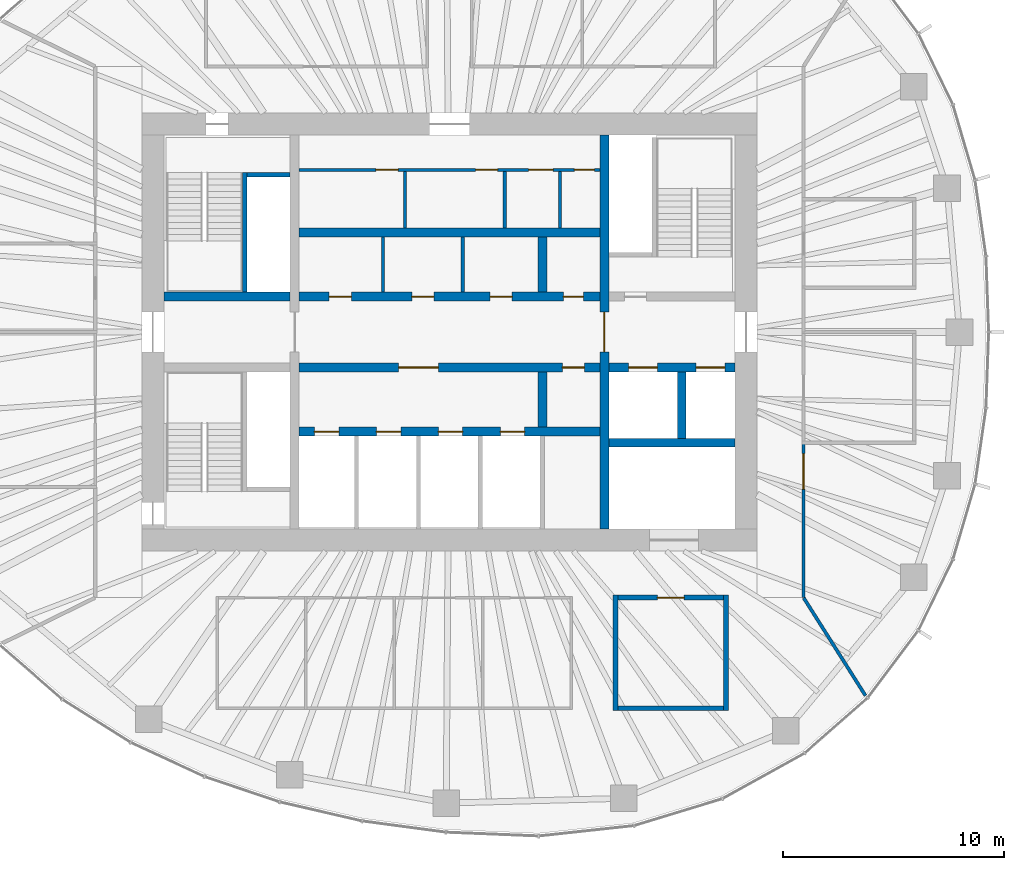
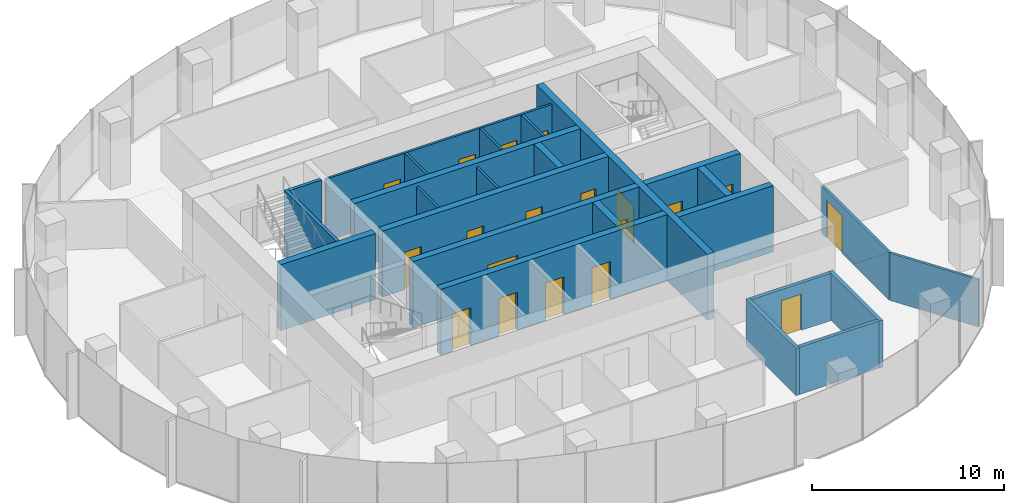
# One storey, part 9 of 11: 25 walls, 19 doors, 19 openings.
"""IFC4 building model written with IfcOpenShell, lengths in metres."""

from ifc_helpers import new_model, si_unit, direction, frame, frame_2d, origin, place, context, subcontext, project, spatial, rectangle, extrude, material, layer, layer_set, type_object, element, fill, save


model = new_model("IFC4")

# Units and contexts
model_context = context("Model", 3, precision=1e-05, world=origin(), true_north=direction((0.0, 1.0)))
body_context = subcontext(model_context, "Body", "Model", "MODEL_VIEW")
ifc_project = project(units=[si_unit("LENGTHUNIT", "METRE"), si_unit("AREAUNIT", "SQUARE_METRE"), si_unit("VOLUMEUNIT", "CUBIC_METRE"), si_unit("PLANEANGLEUNIT", "RADIAN"), si_unit("MASSUNIT", "GRAM", prefix="KILO")], contexts=[model_context])

# Site, building, storey
site_placement = place(None, origin())
site = spatial("IfcSite", under=ifc_project, at=site_placement, CompositionType="ELEMENT")
building_placement = place(site_placement, origin())
building = spatial("IfcBuilding", under=site, at=building_placement, Name="Ghaith Harvest Tower", CompositionType="ELEMENT")
storey_placement = place(building_placement, frame((0.0, 0.0, 275.39990234375)))
storey = spatial("IfcBuildingStorey", under=building, at=storey_placement, Name="L61", CompositionType="ELEMENT", Elevation=275.39990234375)

# Walls
ifc_material_1 = material(Name="Concrete blockwork, 1-hour", Category="masonry")
ifc_layer_1 = layer(ifc_material_1, 0.215087890625)
ifc_layer_set_1 = layer_set([ifc_layer_1], Name="BLOCKWORK WALL 215")
wall_type_1 = type_object("IfcWallType", Name="BLOCKWORK WALL 215", PredefinedType="PARTITIONING", material=ifc_layer_set_1)
for number, where, z_axis, x_axis, name in (
    (1, (7.5, -11.892578125, 0.0), (0.0, 0.0, 1.0), (0.0, -1.0, 0.0), "Partition L61 row S4 cross wall 1"),
    (2, (12.5, -11.892578125, 0.0), (0.0, 0.0, 1.0), (0.0, -1.0, 0.0), "Partition L61 row S4 cross wall 2"),
):
    element("IfcWall", number, at=place(storey_placement, frame(where, z_axis=z_axis, x_axis=x_axis)), inside=storey, type_object=wall_type_1, Name=name, PredefinedType="PARTITIONING", context=body_context, shape_type="SweptSolid", body=[
        extrude(rectangle(XDim=5.21484375, YDim=0.215087890625, at=frame_2d((2.607421875, 0.0))), origin(), (0.0, 0.0, 1.0), 3.0),
    ])

# Wall, opening, door
wall_1_placement = place(storey_placement, frame((7.607421875, -12.0, 0.0), z_axis=(0.0, 0.0, 1.0), x_axis=(1.0, 0.0, 0.0)))
wall_1 = element("IfcWall", 3, at=wall_1_placement, inside=storey, type_object=wall_type_1, Name="Partition L61-08", PredefinedType="PARTITIONING", context=body_context, shape_type="SweptSolid", body=[
    extrude(rectangle(XDim=4.78515625, YDim=0.215087890625, at=frame_2d((2.392578125, 0.0))), origin(), (0.0, 0.0, 1.0), 3.0),
])
opening_1_placement = place(wall_1_placement, frame((1.79248046875, 0.0, 0.0)))
opening_1 = element("IfcOpeningElement", 4, at=opening_1_placement, cuts=wall_1, Name="Opening 61-033", PredefinedType="OPENING", context=body_context, shape_type="SweptSolid", body=[
    extrude(rectangle(XDim=1.199951171875, YDim=2.300048828125, at=frame_2d((0.60009765625, 1.14990234375))), frame((0.0, 0.11767578125, 0.0), z_axis=(0.0, -1.0, 0.0), x_axis=(1.0, 0.0, 0.0)), (0.0, 0.0, 1.0), 0.235107421875),
])
ifc_material_2 = material(Name="Timber door with vision panel", Category="wood")
door_type_1 = type_object("IfcDoorType", Name="D15 LABORATORY 1200x2300", OperationType="SINGLE_SWING_LEFT", PredefinedType="DOOR", material=ifc_material_2)
door_1_placement = place(opening_1_placement, origin())
door_1 = element("IfcDoor", 5, at=door_1_placement, inside=storey, type_object=door_type_1, Name="Autoclave room door", OperationType="SINGLE_SWING_LEFT", OverallHeight=2.300048828125, OverallWidth=1.199951171875, PredefinedType="DOOR", context=body_context, shape_type="SweptSolid", body=[
    extrude(rectangle(XDim=1.199951171875, YDim=2.300048828125, at=frame_2d((0.60009765625, 1.14990234375))), frame((0.0, 0.02490234375, 0.0), z_axis=(0.0, -1.0, 0.0), x_axis=(1.0, 0.0, 0.0)), (0.0, 0.0, 1.0), 0.050048828125),
])
fill(opening_1, door_1)

# Wall
wall_2_placement = place(storey_placement, frame((7.607421875, -17.0, 0.0), z_axis=(0.0, 0.0, 1.0), x_axis=(1.0, 0.0, 0.0)))
element("IfcWall", 6, at=wall_2_placement, inside=storey, type_object=wall_type_1, Name="Partition L61-08", PredefinedType="PARTITIONING", context=body_context, shape_type="SweptSolid", body=[
    extrude(rectangle(XDim=4.78515625, YDim=0.215087890625, at=frame_2d((2.392578125, 0.0))), origin(), (0.0, 0.0, 1.0), 3.0),
])

# Wall, openings, doors
ifc_material_3 = material(Name="Concrete blockwork, fair-faced", Category="masonry")
ifc_layer_2 = layer(ifc_material_3, 0.139892578125)
ifc_layer_set_2 = layer_set([ifc_layer_2], Name="CORE PARTITION 140")
wall_type_2 = type_object("IfcWallType", Name="CORE PARTITION 140", PredefinedType="PARTITIONING", material=ifc_layer_set_2)
wall_3_placement = place(storey_placement, frame((-6.800048828125, 7.330078125, 0.0), z_axis=(0.0, 0.0, 1.0), x_axis=(1.0, 0.0, 0.0)))
wall_3 = element("IfcWall", 7, at=wall_3_placement, inside=storey, type_object=wall_type_2, Name="Core partition L61", PredefinedType="PARTITIONING", context=body_context, shape_type="SweptSolid", body=[
    extrude(rectangle(XDim=13.60009765625, YDim=0.139892578125, at=frame_2d((6.800048828125, 0.0))), origin(), (0.0, 0.0, 1.0), 3.9501953125),
])
opening_2_placement = place(wall_3_placement, frame((3.47998046875, 0.0, 0.0)))
opening_2 = element("IfcOpeningElement", 8, at=opening_2_placement, cuts=wall_3, Name="Opening 61-008", PredefinedType="OPENING", context=body_context, shape_type="SweptSolid", body=[
    extrude(rectangle(XDim=1.0, YDim=2.39990234375, at=frame_2d((0.5, 1.199951171875))), frame((0.0, 0.080078125, 0.0), z_axis=(0.0, -1.0, 0.0), x_axis=(1.0, 0.0, 0.0)), (0.0, 0.0, 1.0), 0.159912109375),
])
opening_3_placement = place(wall_3_placement, frame((7.97998046875, 0.0, 0.0)))
opening_3 = element("IfcOpeningElement", 9, at=opening_3_placement, cuts=wall_3, Name="Opening 61-009", PredefinedType="OPENING", context=body_context, shape_type="SweptSolid", body=[
    extrude(rectangle(XDim=1.0, YDim=2.39990234375, at=frame_2d((0.5, 1.199951171875))), frame((0.0, 0.080078125, 0.0), z_axis=(0.0, -1.0, 0.0), x_axis=(1.0, 0.0, 0.0)), (0.0, 0.0, 1.0), 0.159912109375),
])
opening_4_placement = place(wall_3_placement, frame((10.3798828125, 0.0, 0.0)))
opening_4 = element("IfcOpeningElement", 10, at=opening_4_placement, cuts=wall_3, Name="Opening 61-010", PredefinedType="OPENING", context=body_context, shape_type="SweptSolid", body=[
    extrude(rectangle(XDim=1.10009765625, YDim=2.39990234375, at=frame_2d((0.550048828125, 1.199951171875))), frame((0.0, 0.080078125, 0.0), z_axis=(0.0, -1.0, 0.0), x_axis=(1.0, 0.0, 0.0)), (0.0, 0.0, 1.0), 0.159912109375),
])
opening_5_placement = place(wall_3_placement, frame((12.449951171875, 0.0, 0.0)))
opening_5 = element("IfcOpeningElement", 11, at=opening_5_placement, cuts=wall_3, Name="Opening 61-011", PredefinedType="OPENING", context=body_context, shape_type="SweptSolid", body=[
    extrude(rectangle(XDim=0.89990234375, YDim=2.39990234375, at=frame_2d((0.449951171875, 1.199951171875))), frame((0.0, 0.080078125, 0.0), z_axis=(0.0, -1.0, 0.0), x_axis=(1.0, 0.0, 0.0)), (0.0, 0.0, 1.0), 0.159912109375),
])
ifc_material_4 = material(Name="Steel fire door", Category="steel")
door_type_2 = type_object("IfcDoorType", Name="D3 FD90 1000x2400", OperationType="SINGLE_SWING_LEFT", PredefinedType="DOOR", material=ifc_material_4)
door_2_placement = place(opening_2_placement, origin())
door_2 = element("IfcDoor", 12, at=door_2_placement, inside=storey, type_object=door_type_2, Name="Male WC door", OperationType="SINGLE_SWING_LEFT", OverallHeight=2.39990234375, OverallWidth=1.0, PredefinedType="DOOR", context=body_context, shape_type="SweptSolid", body=[
    extrude(rectangle(XDim=1.0, YDim=2.39990234375, at=frame_2d((0.5, 1.199951171875))), frame((0.0, 0.02490234375, 0.0), z_axis=(0.0, -1.0, 0.0), x_axis=(1.0, 0.0, 0.0)), (0.0, 0.0, 1.0), 0.050048828125),
])
fill(opening_2, door_2)
door_3_placement = place(opening_3_placement, origin())
door_3 = element("IfcDoor", 13, at=door_3_placement, inside=storey, type_object=door_type_2, Name="Female WC door", OperationType="SINGLE_SWING_RIGHT", OverallHeight=2.39990234375, OverallWidth=1.0, PredefinedType="DOOR", context=body_context, shape_type="SweptSolid", body=[
    extrude(rectangle(XDim=1.0, YDim=2.39990234375, at=frame_2d((0.5, 1.199951171875))), frame((0.0, 0.02490234375, 0.0), z_axis=(0.0, -1.0, 0.0), x_axis=(1.0, 0.0, 0.0)), (0.0, 0.0, 1.0), 0.050048828125),
])
fill(opening_3, door_3)
ifc_material_5 = material(Name="Steel fire door", Category="steel")
door_type_3 = type_object("IfcDoorType", Name="D5 FD90 900x2400", OperationType="SINGLE_SWING_LEFT", PredefinedType="DOOR", material=ifc_material_5)
door_4_placement = place(opening_5_placement, origin())
door_4 = element("IfcDoor", 14, at=door_4_placement, inside=storey, type_object=door_type_3, Name="Cleaner's store door", OperationType="SINGLE_SWING_RIGHT", OverallHeight=2.39990234375, OverallWidth=0.89990234375, PredefinedType="DOOR", context=body_context, shape_type="SweptSolid", body=[
    extrude(rectangle(XDim=0.89990234375, YDim=2.39990234375, at=frame_2d((0.449951171875, 1.199951171875))), frame((0.0, 0.02490234375, 0.0), z_axis=(0.0, -1.0, 0.0), x_axis=(1.0, 0.0, 0.0)), (0.0, 0.0, 1.0), 0.050048828125),
])
fill(opening_5, door_4)
ifc_material_6 = material(Name="Steel fire door", Category="steel")
door_type_4 = type_object("IfcDoorType", Name="D9 FD90 1100x2400", OperationType="SINGLE_SWING_LEFT", PredefinedType="DOOR", material=ifc_material_6)
door_5_placement = place(opening_4_placement, origin())
door_5 = element("IfcDoor", 15, at=door_5_placement, inside=storey, type_object=door_type_4, Name="Accessible WC door", OperationType="SINGLE_SWING_RIGHT", OverallHeight=2.39990234375, OverallWidth=1.10009765625, PredefinedType="DOOR", context=body_context, shape_type="SweptSolid", body=[
    extrude(rectangle(XDim=1.10009765625, YDim=2.39990234375, at=frame_2d((0.550048828125, 1.199951171875))), frame((0.0, 0.02490234375, 0.0), z_axis=(0.0, -1.0, 0.0), x_axis=(1.0, 0.0, 0.0)), (0.0, 0.0, 1.0), 0.050048828125),
])
fill(opening_4, door_5)

# Walls
for number, where, z_axis, x_axis, name in (
    (16, (-2.0, 4.699951171875, 0.0), (0.0, 0.0, 1.0), (0.0, 1.0, 0.0), "Core partition L61"),
    (17, (2.5, 4.699951171875, 0.0), (0.0, 0.0, 1.0), (0.0, 1.0, 0.0), "Core partition L61"),
    (18, (5.0, 4.699951171875, 0.0), (0.0, 0.0, 1.0), (0.0, 1.0, 0.0), "Core partition L61"),
):
    element("IfcWall", number, at=place(storey_placement, frame(where, z_axis=z_axis, x_axis=x_axis)), inside=storey, type_object=wall_type_2, Name=name, PredefinedType="PARTITIONING", context=body_context, shape_type="SweptSolid", body=[
        extrude(rectangle(XDim=2.56005859375, YDim=0.139892578125, at=frame_2d((1.280029296875, 0.0))), origin(), (0.0, 0.0, 1.0), 3.9501953125),
    ])
for number, where, z_axis, x_axis, name in (
    (19, (-3.0, 1.800048828125, 0.0), (0.0, 0.0, 1.0), (0.0, 1.0, 0.0), "Core partition L61"),
    (20, (0.60009765625, 1.800048828125, 0.0), (0.0, 0.0, 1.0), (0.0, 1.0, 0.0), "Core partition L61"),
):
    element("IfcWall", number, at=place(storey_placement, frame(where, z_axis=z_axis, x_axis=x_axis)), inside=storey, type_object=wall_type_2, Name=name, PredefinedType="PARTITIONING", context=body_context, shape_type="SweptSolid", body=[
        extrude(rectangle(XDim=2.5, YDim=0.139892578125, at=frame_2d((1.25, 0.0))), origin(), (0.0, 0.0, 1.0), 3.9501953125),
    ])
ifc_material_7 = material(Name="Gypsum board on steel studs", Category="steel")
ifc_layer_3 = layer(ifc_material_7, 0.14990234375)
ifc_layer_set_3 = layer_set([ifc_layer_3], Name="PARTITION 150")
wall_type_3 = type_object("IfcWallType", Name="PARTITION 150", PredefinedType="PARTITIONING", material=ifc_layer_set_3)
wall_4_placement = place(storey_placement, frame((16.0107421875, -12.016845703125, 0.0), z_axis=(0.0, 0.0, 1.0), x_axis=(0.53415837449, -0.845384427916, 0.0)))
element("IfcWall", 21, at=wall_4_placement, inside=storey, type_object=wall_type_3, Name="Partition L61 zone division", PredefinedType="PARTITIONING", context=body_context, shape_type="SweptSolid", body=[
    extrude(rectangle(XDim=5.220458984375, YDim=0.14990234375, at=frame_2d((2.6103515625, 0.0))), origin(), (0.0, 0.0, 1.0), 3.0),
])

# Wall, opening, door
wall_5_placement = place(storey_placement, frame((16.0, -12.0, 0.0), z_axis=(0.0, 0.0, 1.0), x_axis=(0.0, 1.0, 0.0)))
wall_5 = element("IfcWall", 22, at=wall_5_placement, inside=storey, type_object=wall_type_3, Name="Partition L61 zone enclosure", PredefinedType="PARTITIONING", context=body_context, shape_type="SweptSolid", body=[
    extrude(rectangle(XDim=7.0, YDim=0.14990234375, at=frame_2d((3.5, 0.0))), origin(), (0.0, 0.0, 1.0), 3.0),
])
opening_6_placement = place(wall_5_placement, frame((4.89990234375, 0.0, 0.0)))
opening_6 = element("IfcOpeningElement", 23, at=opening_6_placement, cuts=wall_5, Name="Opening 61-038", PredefinedType="OPENING", context=body_context, shape_type="SweptSolid", body=[
    extrude(rectangle(XDim=1.60009765625, YDim=2.39990234375, at=frame_2d((0.800048828125, 1.199951171875))), frame((0.0, 0.0849609375, 0.0), z_axis=(0.0, -1.0, 0.0), x_axis=(1.0, 0.0, 0.0)), (0.0, 0.0, 1.0), 0.169921875),
])
ifc_material_8 = material(Name="Timber door", Category="wood")
door_type_5 = type_object("IfcDoorType", Name="D2 PAIR 1600x2400", OperationType="DOUBLE_DOOR_SINGLE_SWING", PredefinedType="DOOR", material=ifc_material_8)
door_6_placement = place(opening_6_placement, origin())
door_6 = element("IfcDoor", 24, at=door_6_placement, inside=storey, type_object=door_type_5, Name="Tissue culture growing area east door", OperationType="DOUBLE_DOOR_SINGLE_SWING", OverallHeight=2.39990234375, OverallWidth=1.60009765625, PredefinedType="DOOR", context=body_context, shape_type="SweptSolid", body=[
    extrude(rectangle(XDim=1.60009765625, YDim=2.39990234375, at=frame_2d((0.800048828125, 1.199951171875))), frame((0.0, 0.02490234375, 0.0), z_axis=(0.0, -1.0, 0.0), x_axis=(1.0, 0.0, 0.0)), (0.0, 0.0, 1.0), 0.050048828125),
])
fill(opening_6, door_6)

ifc_material_9 = material(Name="Concrete C70/85", Category="concrete")
ifc_layer_4 = layer(ifc_material_9, 0.39990234375)
ifc_layer_set_4 = layer_set([ifc_layer_4], Name="SHAFT WALL 400")
wall_type_4 = type_object("IfcWallType", Name="SHAFT WALL 400", PredefinedType="SHEAR", material=ifc_layer_set_4)
wall_6_placement = place(storey_placement, frame((7.0, -8.89990234375, 0.0), z_axis=(0.0, 0.0, 1.0), x_axis=(0.0, 1.0, 0.0)))
wall_6 = element("IfcWall", 25, at=wall_6_placement, inside=storey, type_object=wall_type_4, Name="Shaft wall W7E L61", PredefinedType="SHEAR", context=body_context, shape_type="SweptSolid", body=[
    extrude(rectangle(XDim=17.7998046875, YDim=0.39990234375, at=frame_2d((8.89990234375, 0.0))), origin(), (0.0, 0.0, 1.0), 4.2001953125),
])
opening_7_placement = place(wall_6_placement, frame((8.0, 0.0, 0.0)))
opening_7 = element("IfcOpeningElement", 26, at=opening_7_placement, cuts=wall_6, Name="Opening 61-004", PredefinedType="OPENING", context=body_context, shape_type="SweptSolid", body=[
    extrude(rectangle(XDim=1.800048828125, YDim=2.39990234375, at=frame_2d((0.89990234375, 1.199951171875))), frame((0.0, 0.2099609375, 0.0), z_axis=(0.0, -1.0, 0.0), x_axis=(1.0, 0.0, 0.0)), (0.0, 0.0, 1.0), 0.419921875),
])
ifc_material_10 = material(Name="Steel fire door", Category="steel")
door_type_6 = type_object("IfcDoorType", Name="D4 FD90 PAIR 1800x2400", OperationType="DOUBLE_DOOR_SINGLE_SWING", PredefinedType="DOOR", material=ifc_material_10)
door_7_placement = place(opening_7_placement, origin())
door_7 = element("IfcDoor", 27, at=door_7_placement, inside=storey, type_object=door_type_6, Name="Lift lobby doors, east", OperationType="DOUBLE_DOOR_SINGLE_SWING", OverallHeight=2.39990234375, OverallWidth=1.800048828125, PredefinedType="DOOR", context=body_context, shape_type="SweptSolid", body=[
    extrude(rectangle(XDim=1.800048828125, YDim=2.39990234375, at=frame_2d((0.89990234375, 1.199951171875))), frame((0.0, 0.02490234375, 0.0), z_axis=(0.0, -1.0, 0.0), x_axis=(1.0, 0.0, 0.0)), (0.0, 0.0, 1.0), 0.050048828125),
])
fill(opening_7, door_7)

# Wall, openings, doors
wall_7_placement = place(storey_placement, frame((-6.800048828125, 1.60009765625, 0.0), z_axis=(0.0, 0.0, 1.0), x_axis=(1.0, 0.0, 0.0)))
wall_7 = element("IfcWall", 28, at=wall_7_placement, inside=storey, type_object=wall_type_4, Name="Shaft wall LN L61", PredefinedType="SHEAR", context=body_context, shape_type="SweptSolid", body=[
    extrude(rectangle(XDim=13.60009765625, YDim=0.39990234375, at=frame_2d((6.800048828125, 0.0))), origin(), (0.0, 0.0, 1.0), 4.2001953125),
])
opening_8_placement = place(wall_7_placement, frame((1.364990234375, 0.0, 0.0)))
opening_8 = element("IfcOpeningElement", 29, at=opening_8_placement, cuts=wall_7, Name="Opening 61-012", PredefinedType="OPENING", context=body_context, shape_type="SweptSolid", body=[
    extrude(rectangle(XDim=1.0, YDim=2.39990234375, at=frame_2d((0.5, 1.199951171875))), frame((0.0, 0.2099609375, 0.0), z_axis=(0.0, -1.0, 0.0), x_axis=(1.0, 0.0, 0.0)), (0.0, 0.0, 1.0), 0.419921875),
])
opening_9_placement = place(wall_7_placement, frame((5.10009765625, 0.0, 0.0)))
opening_9 = element("IfcOpeningElement", 30, at=opening_9_placement, cuts=wall_7, Name="Opening 61-013", PredefinedType="OPENING", context=body_context, shape_type="SweptSolid", body=[
    extrude(rectangle(XDim=1.0, YDim=2.39990234375, at=frame_2d((0.5, 1.199951171875))), frame((0.0, 0.2099609375, 0.0), z_axis=(0.0, -1.0, 0.0), x_axis=(1.0, 0.0, 0.0)), (0.0, 0.0, 1.0), 0.419921875),
])
opening_10_placement = place(wall_7_placement, frame((8.635009765625, 0.0, 0.0)))
opening_10 = element("IfcOpeningElement", 31, at=opening_10_placement, cuts=wall_7, Name="Opening 61-014", PredefinedType="OPENING", context=body_context, shape_type="SweptSolid", body=[
    extrude(rectangle(XDim=1.0, YDim=2.39990234375, at=frame_2d((0.5, 1.199951171875))), frame((0.0, 0.2099609375, 0.0), z_axis=(0.0, -1.0, 0.0), x_axis=(1.0, 0.0, 0.0)), (0.0, 0.0, 1.0), 0.419921875),
])
opening_11_placement = place(wall_7_placement, frame((11.949951171875, 0.0, 0.0)))
opening_11 = element("IfcOpeningElement", 32, at=opening_11_placement, cuts=wall_7, Name="Opening 61-015", PredefinedType="OPENING", context=body_context, shape_type="SweptSolid", body=[
    extrude(rectangle(XDim=0.89990234375, YDim=2.39990234375, at=frame_2d((0.449951171875, 1.199951171875))), frame((0.0, 0.2099609375, 0.0), z_axis=(0.0, -1.0, 0.0), x_axis=(1.0, 0.0, 0.0)), (0.0, 0.0, 1.0), 0.419921875),
])
door_8_placement = place(opening_8_placement, origin())
door_8 = element("IfcDoor", 33, at=door_8_placement, inside=storey, type_object=door_type_2, Name="Electrical room door", OperationType="SINGLE_SWING_LEFT", OverallHeight=2.39990234375, OverallWidth=1.0, PredefinedType="DOOR", context=body_context, shape_type="SweptSolid", body=[
    extrude(rectangle(XDim=1.0, YDim=2.39990234375, at=frame_2d((0.5, 1.199951171875))), frame((0.0, 0.02490234375, 0.0), z_axis=(0.0, -1.0, 0.0), x_axis=(1.0, 0.0, 0.0)), (0.0, 0.0, 1.0), 0.050048828125),
])
fill(opening_8, door_8)
door_9_placement = place(opening_9_placement, origin())
door_9 = element("IfcDoor", 34, at=door_9_placement, inside=storey, type_object=door_type_2, Name="Communications equipment room door", OperationType="SINGLE_SWING_LEFT", OverallHeight=2.39990234375, OverallWidth=1.0, PredefinedType="DOOR", context=body_context, shape_type="SweptSolid", body=[
    extrude(rectangle(XDim=1.0, YDim=2.39990234375, at=frame_2d((0.5, 1.199951171875))), frame((0.0, 0.02490234375, 0.0), z_axis=(0.0, -1.0, 0.0), x_axis=(1.0, 0.0, 0.0)), (0.0, 0.0, 1.0), 0.050048828125),
])
fill(opening_9, door_9)
door_10_placement = place(opening_10_placement, origin())
door_10 = element("IfcDoor", 35, at=door_10_placement, inside=storey, type_object=door_type_2, Name="Tea point door", OperationType="SINGLE_SWING_RIGHT", OverallHeight=2.39990234375, OverallWidth=1.0, PredefinedType="DOOR", context=body_context, shape_type="SweptSolid", body=[
    extrude(rectangle(XDim=1.0, YDim=2.39990234375, at=frame_2d((0.5, 1.199951171875))), frame((0.0, 0.02490234375, 0.0), z_axis=(0.0, -1.0, 0.0), x_axis=(1.0, 0.0, 0.0)), (0.0, 0.0, 1.0), 0.050048828125),
])
fill(opening_10, door_10)
door_11_placement = place(opening_11_placement, origin())
door_11 = element("IfcDoor", 36, at=door_11_placement, inside=storey, type_object=door_type_3, Name="Lobby store door", OperationType="SINGLE_SWING_RIGHT", OverallHeight=2.39990234375, OverallWidth=0.89990234375, PredefinedType="DOOR", context=body_context, shape_type="SweptSolid", body=[
    extrude(rectangle(XDim=0.89990234375, YDim=2.39990234375, at=frame_2d((0.449951171875, 1.199951171875))), frame((0.0, 0.02490234375, 0.0), z_axis=(0.0, -1.0, 0.0), x_axis=(1.0, 0.0, 0.0)), (0.0, 0.0, 1.0), 0.050048828125),
])
fill(opening_11, door_11)

wall_8_placement = place(storey_placement, frame((-6.800048828125, -1.60009765625, 0.0), z_axis=(0.0, 0.0, 1.0), x_axis=(1.0, 0.0, 0.0)))
wall_8 = element("IfcWall", 37, at=wall_8_placement, inside=storey, type_object=wall_type_4, Name="Shaft wall LS L61", PredefinedType="SHEAR", context=body_context, shape_type="SweptSolid", body=[
    extrude(rectangle(XDim=13.60009765625, YDim=0.39990234375, at=frame_2d((6.800048828125, 0.0))), origin(), (0.0, 0.0, 1.0), 4.2001953125),
])
opening_12_placement = place(wall_8_placement, frame((11.89990234375, 0.0, 0.0)))
opening_12 = element("IfcOpeningElement", 38, at=opening_12_placement, cuts=wall_8, Name="Opening 61-016", PredefinedType="OPENING", context=body_context, shape_type="SweptSolid", body=[
    extrude(rectangle(XDim=1.0, YDim=2.39990234375, at=frame_2d((0.5, 1.199951171875))), frame((0.0, 0.2099609375, 0.0), z_axis=(0.0, -1.0, 0.0), x_axis=(1.0, 0.0, 0.0)), (0.0, 0.0, 1.0), 0.419921875),
])
opening_13_placement = place(wall_8_placement, frame((4.5, 0.0, 0.0)))
opening_13 = element("IfcOpeningElement", 39, at=opening_13_placement, cuts=wall_8, Name="Opening 61-017", PredefinedType="OPENING", context=body_context, shape_type="SweptSolid", body=[
    extrude(rectangle(XDim=1.800048828125, YDim=2.39990234375, at=frame_2d((0.89990234375, 1.199951171875))), frame((0.0, 0.2099609375, 0.0), z_axis=(0.0, -1.0, 0.0), x_axis=(1.0, 0.0, 0.0)), (0.0, 0.0, 1.0), 0.419921875),
])
door_12_placement = place(opening_12_placement, origin())
door_12 = element("IfcDoor", 40, at=door_12_placement, inside=storey, type_object=door_type_2, Name="IT equipment room door", OperationType="SINGLE_SWING_RIGHT", OverallHeight=2.39990234375, OverallWidth=1.0, PredefinedType="DOOR", context=body_context, shape_type="SweptSolid", body=[
    extrude(rectangle(XDim=1.0, YDim=2.39990234375, at=frame_2d((0.5, 1.199951171875))), frame((0.0, 0.02490234375, 0.0), z_axis=(0.0, -1.0, 0.0), x_axis=(1.0, 0.0, 0.0)), (0.0, 0.0, 1.0), 0.050048828125),
])
fill(opening_12, door_12)
door_13_placement = place(opening_13_placement, origin())
door_13 = element("IfcDoor", 41, at=door_13_placement, inside=storey, type_object=door_type_6, Name="Lift lobby doors, upper-zone bank", OperationType="DOUBLE_DOOR_SINGLE_SWING", OverallHeight=2.39990234375, OverallWidth=1.800048828125, PredefinedType="DOOR", context=body_context, shape_type="SweptSolid", body=[
    extrude(rectangle(XDim=1.800048828125, YDim=2.39990234375, at=frame_2d((0.89990234375, 1.199951171875))), frame((0.0, 0.02490234375, 0.0), z_axis=(0.0, -1.0, 0.0), x_axis=(1.0, 0.0, 0.0)), (0.0, 0.0, 1.0), 0.050048828125),
])
fill(opening_13, door_13)

# Wall
wall_9_placement = place(storey_placement, frame((-6.800048828125, 4.5, 0.0), z_axis=(0.0, 0.0, 1.0), x_axis=(1.0, 0.0, 0.0)))
element("IfcWall", 42, at=wall_9_placement, inside=storey, type_object=wall_type_4, Name="Shaft wall BN L61", PredefinedType="SHEAR", context=body_context, shape_type="SweptSolid", body=[
    extrude(rectangle(XDim=13.60009765625, YDim=0.39990234375, at=frame_2d((6.800048828125, 0.0))), origin(), (0.0, 0.0, 1.0), 4.2001953125),
])

# Wall, openings, doors
wall_10_placement = place(storey_placement, frame((-6.800048828125, -4.5, 0.0), z_axis=(0.0, 0.0, 1.0), x_axis=(1.0, 0.0, 0.0)))
wall_10 = element("IfcWall", 43, at=wall_10_placement, inside=storey, type_object=wall_type_4, Name="Shaft wall BS L61", PredefinedType="SHEAR", context=body_context, shape_type="SweptSolid", body=[
    extrude(rectangle(XDim=13.60009765625, YDim=0.39990234375, at=frame_2d((6.800048828125, 0.0))), origin(), (0.0, 0.0, 1.0), 4.2001953125),
])
opening_14_placement = place(wall_10_placement, frame((0.699951171875, 0.0, 0.0)))
opening_14 = element("IfcOpeningElement", 44, at=opening_14_placement, cuts=wall_10, Name="Opening 61-019", PredefinedType="OPENING", context=body_context, shape_type="SweptSolid", body=[
    extrude(rectangle(XDim=1.10009765625, YDim=2.39990234375, at=frame_2d((0.550048828125, 1.199951171875))), frame((0.0, 0.2099609375, 0.0), z_axis=(0.0, -1.0, 0.0), x_axis=(1.0, 0.0, 0.0)), (0.0, 0.0, 1.0), 0.419921875),
])
opening_15_placement = place(wall_10_placement, frame((3.5, 0.0, 0.0)))
opening_15 = element("IfcOpeningElement", 45, at=opening_15_placement, cuts=wall_10, Name="Opening 61-020", PredefinedType="OPENING", context=body_context, shape_type="SweptSolid", body=[
    extrude(rectangle(XDim=1.10009765625, YDim=2.39990234375, at=frame_2d((0.550048828125, 1.199951171875))), frame((0.0, 0.2099609375, 0.0), z_axis=(0.0, -1.0, 0.0), x_axis=(1.0, 0.0, 0.0)), (0.0, 0.0, 1.0), 0.419921875),
])
opening_16_placement = place(wall_10_placement, frame((6.300048828125, 0.0, 0.0)))
opening_16 = element("IfcOpeningElement", 46, at=opening_16_placement, cuts=wall_10, Name="Opening 61-021", PredefinedType="OPENING", context=body_context, shape_type="SweptSolid", body=[
    extrude(rectangle(XDim=1.10009765625, YDim=2.39990234375, at=frame_2d((0.550048828125, 1.199951171875))), frame((0.0, 0.2099609375, 0.0), z_axis=(0.0, -1.0, 0.0), x_axis=(1.0, 0.0, 0.0)), (0.0, 0.0, 1.0), 0.419921875),
])
opening_17_placement = place(wall_10_placement, frame((9.10009765625, 0.0, 0.0)))
opening_17 = element("IfcOpeningElement", 47, at=opening_17_placement, cuts=wall_10, Name="Opening 61-022", PredefinedType="OPENING", context=body_context, shape_type="SweptSolid", body=[
    extrude(rectangle(XDim=1.10009765625, YDim=2.39990234375, at=frame_2d((0.550048828125, 1.199951171875))), frame((0.0, 0.2099609375, 0.0), z_axis=(0.0, -1.0, 0.0), x_axis=(1.0, 0.0, 0.0)), (0.0, 0.0, 1.0), 0.419921875),
])
ifc_material_11 = material(Name="Steel fire door", Category="steel")
door_type_7 = type_object("IfcDoorType", Name="LD1 LANDING 1100x2400", OperationType="DOUBLE_DOOR_SLIDING", PredefinedType="DOOR", material=ifc_material_11)
door_14_placement = place(opening_14_placement, origin())
door_14 = element("IfcDoor", 48, at=door_14_placement, inside=storey, type_object=door_type_7, Name="Landing door, lift TR1", OperationType="DOUBLE_DOOR_SLIDING", OverallHeight=2.39990234375, OverallWidth=1.10009765625, PredefinedType="DOOR", context=body_context, shape_type="SweptSolid", body=[
    extrude(rectangle(XDim=1.10009765625, YDim=2.39990234375, at=frame_2d((0.550048828125, 1.199951171875))), frame((0.0, 0.02490234375, 0.0), z_axis=(0.0, -1.0, 0.0), x_axis=(1.0, 0.0, 0.0)), (0.0, 0.0, 1.0), 0.050048828125),
])
fill(opening_14, door_14)
door_15_placement = place(opening_15_placement, origin())
door_15 = element("IfcDoor", 49, at=door_15_placement, inside=storey, type_object=door_type_7, Name="Landing door, lift TR2", OperationType="DOUBLE_DOOR_SLIDING", OverallHeight=2.39990234375, OverallWidth=1.10009765625, PredefinedType="DOOR", context=body_context, shape_type="SweptSolid", body=[
    extrude(rectangle(XDim=1.10009765625, YDim=2.39990234375, at=frame_2d((0.550048828125, 1.199951171875))), frame((0.0, 0.02490234375, 0.0), z_axis=(0.0, -1.0, 0.0), x_axis=(1.0, 0.0, 0.0)), (0.0, 0.0, 1.0), 0.050048828125),
])
fill(opening_15, door_15)
door_16_placement = place(opening_16_placement, origin())
door_16 = element("IfcDoor", 50, at=door_16_placement, inside=storey, type_object=door_type_7, Name="Landing door, lift TR3", OperationType="DOUBLE_DOOR_SLIDING", OverallHeight=2.39990234375, OverallWidth=1.10009765625, PredefinedType="DOOR", context=body_context, shape_type="SweptSolid", body=[
    extrude(rectangle(XDim=1.10009765625, YDim=2.39990234375, at=frame_2d((0.550048828125, 1.199951171875))), frame((0.0, 0.02490234375, 0.0), z_axis=(0.0, -1.0, 0.0), x_axis=(1.0, 0.0, 0.0)), (0.0, 0.0, 1.0), 0.050048828125),
])
fill(opening_16, door_16)
door_17_placement = place(opening_17_placement, origin())
door_17 = element("IfcDoor", 51, at=door_17_placement, inside=storey, type_object=door_type_7, Name="Landing door, lift TR4", OperationType="DOUBLE_DOOR_SLIDING", OverallHeight=2.39990234375, OverallWidth=1.10009765625, PredefinedType="DOOR", context=body_context, shape_type="SweptSolid", body=[
    extrude(rectangle(XDim=1.10009765625, YDim=2.39990234375, at=frame_2d((0.550048828125, 1.199951171875))), frame((0.0, 0.02490234375, 0.0), z_axis=(0.0, -1.0, 0.0), x_axis=(1.0, 0.0, 0.0)), (0.0, 0.0, 1.0), 0.050048828125),
])
fill(opening_17, door_17)

# Wall
wall_11_placement = place(storey_placement, frame((-12.89990234375, 1.60009765625, 0.0), z_axis=(0.0, 0.0, 1.0), x_axis=(1.0, 0.0, 0.0)))
element("IfcWall", 52, at=wall_11_placement, inside=storey, type_object=wall_type_4, Name="Shaft wall WN L61", PredefinedType="SHEAR", context=body_context, shape_type="SweptSolid", body=[
    extrude(rectangle(XDim=5.699951171875, YDim=0.39990234375, at=frame_2d((2.85009765625, 0.0))), origin(), (0.0, 0.0, 1.0), 4.2001953125),
])

# Wall, openings, doors
wall_12_placement = place(storey_placement, frame((7.199951171875, -1.60009765625, 0.0), z_axis=(0.0, 0.0, 1.0), x_axis=(1.0, 0.0, 0.0)))
wall_12 = element("IfcWall", 53, at=wall_12_placement, inside=storey, type_object=wall_type_4, Name="Shaft wall ES L61", PredefinedType="SHEAR", context=body_context, shape_type="SweptSolid", body=[
    extrude(rectangle(XDim=5.699951171875, YDim=0.39990234375, at=frame_2d((2.85009765625, 0.0))), origin(), (0.0, 0.0, 1.0), 4.2001953125),
])
opening_18_placement = place(wall_12_placement, frame((0.89990234375, 0.0, 0.0)))
opening_18 = element("IfcOpeningElement", 54, at=opening_18_placement, cuts=wall_12, Name="Opening 61-023", PredefinedType="OPENING", context=body_context, shape_type="SweptSolid", body=[
    extrude(rectangle(XDim=1.300048828125, YDim=2.39990234375, at=frame_2d((0.64990234375, 1.199951171875))), frame((0.0, 0.2099609375, 0.0), z_axis=(0.0, -1.0, 0.0), x_axis=(1.0, 0.0, 0.0)), (0.0, 0.0, 1.0), 0.419921875),
])
opening_19_placement = place(wall_12_placement, frame((3.949951171875, 0.0, 0.0)))
opening_19 = element("IfcOpeningElement", 55, at=opening_19_placement, cuts=wall_12, Name="Opening 61-024", PredefinedType="OPENING", context=body_context, shape_type="SweptSolid", body=[
    extrude(rectangle(XDim=1.300048828125, YDim=2.39990234375, at=frame_2d((0.64990234375, 1.199951171875))), frame((0.0, 0.2099609375, 0.0), z_axis=(0.0, -1.0, 0.0), x_axis=(1.0, 0.0, 0.0)), (0.0, 0.0, 1.0), 0.419921875),
])
ifc_material_12 = material(Name="Steel fire door", Category="steel")
door_type_8 = type_object("IfcDoorType", Name="LD2 LANDING 1300x2400", OperationType="DOUBLE_DOOR_SLIDING", PredefinedType="DOOR", material=ifc_material_12)
door_18_placement = place(opening_18_placement, origin())
door_18 = element("IfcDoor", 56, at=door_18_placement, inside=storey, type_object=door_type_8, Name="Landing door, fire service lift FL1", OperationType="DOUBLE_DOOR_SLIDING", OverallHeight=2.39990234375, OverallWidth=1.300048828125, PredefinedType="DOOR", context=body_context, shape_type="SweptSolid", body=[
    extrude(rectangle(XDim=1.300048828125, YDim=2.39990234375, at=frame_2d((0.64990234375, 1.199951171875))), frame((0.0, 0.02490234375, 0.0), z_axis=(0.0, -1.0, 0.0), x_axis=(1.0, 0.0, 0.0)), (0.0, 0.0, 1.0), 0.050048828125),
])
fill(opening_18, door_18)
door_19_placement = place(opening_19_placement, origin())
door_19 = element("IfcDoor", 57, at=door_19_placement, inside=storey, type_object=door_type_8, Name="Landing door, fire service lift FL2", OperationType="DOUBLE_DOOR_SLIDING", OverallHeight=2.39990234375, OverallWidth=1.300048828125, PredefinedType="DOOR", context=body_context, shape_type="SweptSolid", body=[
    extrude(rectangle(XDim=1.300048828125, YDim=2.39990234375, at=frame_2d((0.64990234375, 1.199951171875))), frame((0.0, 0.02490234375, 0.0), z_axis=(0.0, -1.0, 0.0), x_axis=(1.0, 0.0, 0.0)), (0.0, 0.0, 1.0), 0.050048828125),
])
fill(opening_19, door_19)

# Walls
wall_13_placement = place(storey_placement, frame((10.5, -4.800048828125, 0.0), z_axis=(0.0, 0.0, 1.0), x_axis=(0.0, 1.0, 0.0)))
element("IfcWall", 58, at=wall_13_placement, inside=storey, type_object=wall_type_4, Name="Shaft wall FLD L61", PredefinedType="SHEAR", context=body_context, shape_type="SweptSolid", body=[
    extrude(rectangle(XDim=3.0, YDim=0.39990234375, at=frame_2d((1.5, 0.0))), origin(), (0.0, 0.0, 1.0), 4.2001953125),
])
wall_14_placement = place(storey_placement, frame((7.199951171875, -5.0, 0.0), z_axis=(0.0, 0.0, 1.0), x_axis=(1.0, 0.0, 0.0)))
element("IfcWall", 59, at=wall_14_placement, inside=storey, type_object=wall_type_4, Name="Shaft wall FLB L61", PredefinedType="SHEAR", context=body_context, shape_type="SweptSolid", body=[
    extrude(rectangle(XDim=5.699951171875, YDim=0.39990234375, at=frame_2d((2.85009765625, 0.0))), origin(), (0.0, 0.0, 1.0), 4.2001953125),
])
for number, where, z_axis, x_axis, name in (
    (60, (4.199951171875, 1.800048828125, 0.0), (0.0, 0.0, 1.0), (0.0, 1.0, 0.0), "Shaft wall DN4 L61"),
    (61, (4.199951171875, -4.300048828125, 0.0), (0.0, 0.0, 1.0), (0.0, 1.0, 0.0), "Shaft wall DS4 L61"),
):
    element("IfcWall", number, at=place(storey_placement, frame(where, z_axis=z_axis, x_axis=x_axis)), inside=storey, type_object=wall_type_4, Name=name, PredefinedType="SHEAR", context=body_context, shape_type="SweptSolid", body=[
        extrude(rectangle(XDim=2.5, YDim=0.39990234375, at=frame_2d((1.25, 0.0))), origin(), (0.0, 0.0, 1.0), 4.2001953125),
    ])
ifc_material_13 = material(Name="Concrete C40/50", Category="concrete")
ifc_layer_5 = layer(ifc_material_13, 0.199951171875)
ifc_layer_set_5 = layer_set([ifc_layer_5], Name="STAIR SPINE WALL RC200")
wall_type_5 = type_object("IfcWallType", Name="STAIR SPINE WALL RC200", PredefinedType="SOLIDWALL", material=ifc_layer_set_5)
wall_15_placement = place(storey_placement, frame((-9.25, 7.199951171875, 0.0), z_axis=(0.0, 0.0, 1.0), x_axis=(0.0, -1.0, 0.0)))
element("IfcWall", 62, at=wall_15_placement, inside=storey, type_object=wall_type_5, Name="Stair ST1 spine wall L61", PredefinedType="SOLIDWALL", context=body_context, shape_type="SweptSolid", body=[
    extrude(rectangle(XDim=5.39990234375, YDim=0.199951171875, at=frame_2d((2.699951171875, 0.0))), origin(), (0.0, 0.0, 1.0), 4.2001953125),
])
wall_16_placement = place(storey_placement, frame((-9.14990234375, 7.10009765625, 0.0), z_axis=(0.0, 0.0, 1.0), x_axis=(1.0, 0.0, 0.0)))
element("IfcWall", 63, at=wall_16_placement, inside=storey, type_object=wall_type_5, Name="Stair ST1 spine wall return L61", PredefinedType="SOLIDWALL", context=body_context, shape_type="SweptSolid", body=[
    extrude(rectangle(XDim=1.949951171875, YDim=0.199951171875, at=frame_2d((0.97509765625, 0.0))), origin(), (0.0, 0.0, 1.0), 4.2001953125),
])

save(model, "model.ifc")
